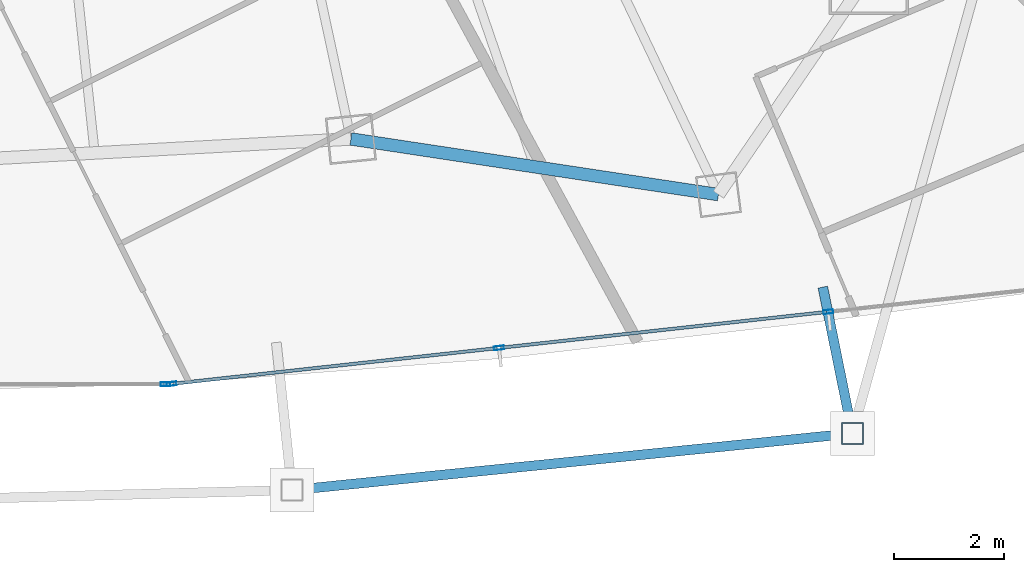
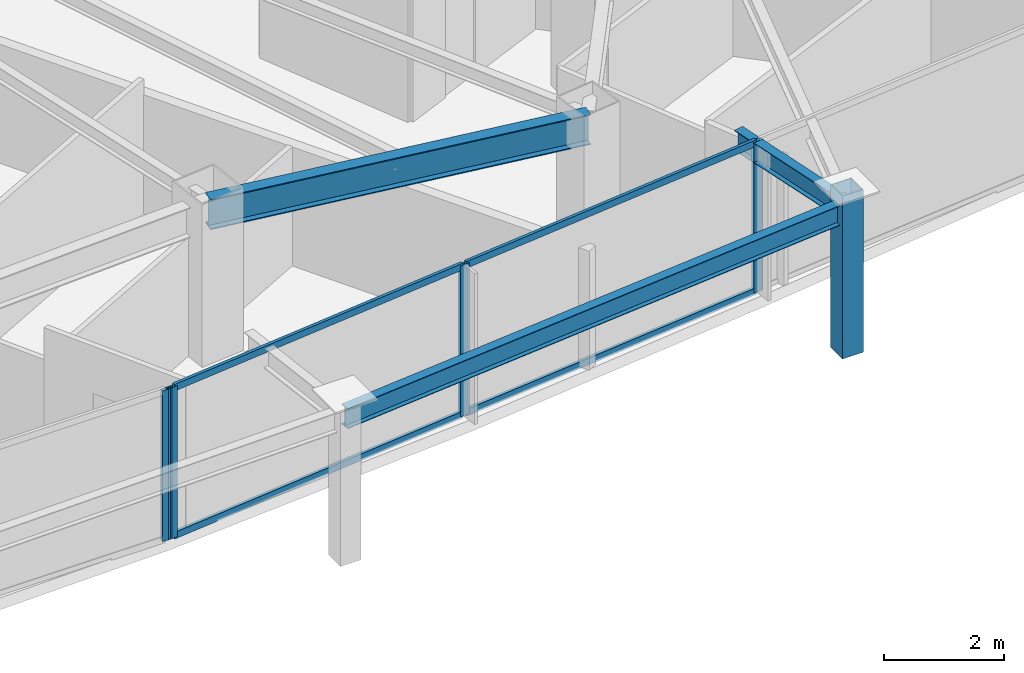
# One storey, part 11 of 31: 9 members, 3 beams, 2 elements without a shape of their own.
"""IFC4 building model written with IfcOpenShell, lengths in metres."""

from ifc_helpers import new_model, si_unit, direction, frame, origin, origin_2d, place, context, subcontext, project, spatial, hollow_rectangle, i_section, extrude, material, layer, layer_set, material_profile, profile_set, type_object, element, aggregate, save


model = new_model("IFC4")

# Units and contexts
model_context = context("Model", 3, precision=1e-05, world=origin(), true_north=direction((0.0, 1.0)))
body_context = subcontext(model_context, "Body", "Model", "MODEL_VIEW")
ifc_project = project(units=[si_unit("LENGTHUNIT", "METRE"), si_unit("AREAUNIT", "SQUARE_METRE"), si_unit("VOLUMEUNIT", "CUBIC_METRE"), si_unit("PLANEANGLEUNIT", "RADIAN"), si_unit("MASSUNIT", "GRAM", prefix="KILO")], contexts=[model_context])

# Site, building, storey
site_placement = place(None, origin())
site = spatial("IfcSite", under=ifc_project, at=site_placement, CompositionType="ELEMENT")
building_placement = place(site_placement, origin())
building = spatial("IfcBuilding", under=site, at=building_placement, Name="Orvanel Arch Residences", CompositionType="ELEMENT")
storey_placement = place(building_placement, frame((0.0, 0.0, 113.300048828125)))
storey = spatial("IfcBuildingStorey", under=building, at=storey_placement, Name="L31", CompositionType="ELEMENT", Elevation=113.300048828125)

# Curtain wall, member
ifc_material_1 = material(Name="Bronze-anodised aluminium AA6063-T6", Category="aluminium")
ifc_layer = layer(ifc_material_1, 0.179931640625)
ifc_layer_set = layer_set([ifc_layer], Name="Bronze-anodised aluminium AA6063-T6")
curtain_wall_type = type_object("IfcCurtainWallType", Name="CW3-MID-SYS", PredefinedType="NOTDEFINED", material=ifc_layer_set)
curtain_wall_1_placement = place(storey_placement, origin())
curtain_wall_1 = element("IfcCurtainWall", 1, at=curtain_wall_1_placement, inside=storey, type_object=curtain_wall_type, Name="L31 CW3-MID-SYS Unitised Curtain Wall", PredefinedType="NOTDEFINED")
ifc_material_profile_1 = material_profile(ifc_material_1, hollow_rectangle(XDim=0.070068359375, YDim=0.179931640625, WallThickness=0.00439453125, at=origin_2d()), Name="ALU180x70x4.5")
ifc_profile_set_1 = profile_set([ifc_material_profile_1], Name="Bronze-anodised aluminium AA6063-T6")
member_type_1 = type_object("IfcMemberType", Name="MUL-180x70", PredefinedType="MULLION", material=ifc_profile_set_1)
member_1_placement = place(storey_placement, frame((38.968017578125, 2.87890625, 0.0), z_axis=(0.0, 0.0, 1.0), x_axis=(0.0, 1.0, 0.0)))
member_1 = element("IfcMember", 2, at=member_1_placement, type_object=member_type_1, Name="CW-S3 mullion 3", PredefinedType="MULLION", context=body_context, shape_type="SweptSolid", body=[
    extrude(hollow_rectangle(XDim=0.070068359375, YDim=0.179931640625, WallThickness=0.00439453125, at=origin_2d()), origin(), (0.0, 0.0, 1.0), 3.06005859375),
])
aggregate(curtain_wall_1, [member_1])

# Curtain wall, members
curtain_wall_2_placement = place(storey_placement, origin())
curtain_wall_2 = element("IfcCurtainWall", 3, at=curtain_wall_2_placement, inside=storey, type_object=curtain_wall_type, Name="L31 CW3-MID-SYS Unitised Curtain Wall", PredefinedType="NOTDEFINED")
member_2_placement = place(storey_placement, frame((39.077880859375, 2.884765625, 0.0), z_axis=(0.0, 0.0, 1.0), x_axis=(-0.109154736008, 0.994024770117, 0.0)))
member_2 = element("IfcMember", 4, at=member_2_placement, type_object=member_type_1, Name="CW-S3 mullion 1", PredefinedType="MULLION", context=body_context, shape_type="SweptSolid", body=[
    extrude(hollow_rectangle(XDim=0.070068359375, YDim=0.179931640625, WallThickness=0.00439453125, at=origin_2d()), origin(), (0.0, 0.0, 1.0), 3.06005859375),
])
member_3_placement = place(storey_placement, frame((45.05322265625, 3.541015625, 0.0), z_axis=(0.0, 0.0, 1.0), x_axis=(-0.109154736008, 0.994024770117, 0.0)))
member_3 = element("IfcMember", 5, at=member_3_placement, type_object=member_type_1, Name="CW-S3 mullion 2", PredefinedType="MULLION", context=body_context, shape_type="SweptSolid", body=[
    extrude(hollow_rectangle(XDim=0.070068359375, YDim=0.179931640625, WallThickness=0.00439453125, at=origin_2d()), origin(), (0.0, 0.0, 1.0), 3.06005859375),
])
member_4_placement = place(storey_placement, frame((51.063720703125, 4.200927734375, 0.0), z_axis=(0.0, 0.0, 1.0), x_axis=(-0.109154736008, 0.994024770117, 0.0)))
member_4 = element("IfcMember", 6, at=member_4_placement, type_object=member_type_1, Name="CW-S3 mullion 3", PredefinedType="MULLION", context=body_context, shape_type="SweptSolid", body=[
    extrude(hollow_rectangle(XDim=0.070068359375, YDim=0.179931640625, WallThickness=0.00439453125, at=origin_2d()), origin(), (0.0, 0.0, 1.0), 3.06005859375),
])

# Beams
ifc_material_2 = material(Name="Structural steel AS/NZS 3679.1 Grade 300 (300 MPa)", Category="steel")
ifc_material_profile_2 = material_profile(ifc_material_2, i_section(OverallWidth=0.177978515625, OverallDepth=0.406005859375, WebThickness=0.0078125, FlangeThickness=0.0126953125, at=origin_2d()), Name="410UB59.7")
ifc_profile_set_2 = profile_set([ifc_material_profile_2], Name="Structural steel AS/NZS 3679.1 Grade 300 (300 MPa)")
beam_type_1 = type_object("IfcBeamType", Name="OB-410UB-EXT", PredefinedType="SPANDREL", material=ifc_profile_set_2)
beam_1_placement = place(storey_placement, frame((41.27392578125, 0.946044921875, 2.85693359375), z_axis=(0.994922767313, 0.100641378577, 0.0), x_axis=(-0.100641378577, 0.994922767313, 0.0)))
element("IfcBeam", 7, at=beam_1_placement, inside=storey, type_object=beam_type_1, Name="L31 Outer Perimeter Floor Ring Beam 07", PredefinedType="SPANDREL", context=body_context, shape_type="SweptSolid", body=[
    extrude(i_section(OverallWidth=0.177978515625, OverallDepth=0.406005859375, WebThickness=0.0078125, FlangeThickness=0.0126953125, at=origin_2d()), origin(), (0.0, 0.0, 1.0), 10.283203125),
])
beam_2_placement = place(storey_placement, frame((50.964111328125, 4.65087890625, 2.85693359375), z_axis=(0.198511196351, -0.980098619999, 0.0), x_axis=(0.980098619999, 0.198511196351, 0.0)))
element("IfcBeam", 8, at=beam_2_placement, inside=storey, type_object=beam_type_1, Name="L31 Outer Frame Radial Tie Beam 08", PredefinedType="SPANDREL", context=body_context, shape_type="SweptSolid", body=[
    extrude(i_section(OverallWidth=0.177978515625, OverallDepth=0.406005859375, WebThickness=0.0078125, FlangeThickness=0.0126953125, at=origin_2d()), origin(), (0.0, 0.0, 1.0), 2.72412109375),
])
ifc_material_profile_3 = material_profile(ifc_material_2, i_section(OverallWidth=0.22900390625, OverallDepth=0.612060546875, WebThickness=0.011962890625, FlangeThickness=0.01953125, at=origin_2d()), Name="610UB125")
ifc_profile_set_3 = profile_set([ifc_material_profile_3], Name="Structural steel AS/NZS 3679.1 Grade 300 (300 MPa)")
beam_type_2 = type_object("IfcBeamType", Name="SP-610UB", PredefinedType="SPANDREL", material=ifc_profile_set_3)
beam_3_placement = place(storey_placement, frame((42.35107421875, 7.35498046875, 2.75390625), z_axis=(0.988726323014, -0.149733958002, 0.0), x_axis=(0.149733958002, 0.988726323014, 0.0)))
element("IfcBeam", 9, at=beam_3_placement, inside=storey, type_object=beam_type_2, Name="L31 Perimeter Spandrel Beam 07", PredefinedType="SPANDREL", context=body_context, shape_type="SweptSolid", body=[
    extrude(i_section(OverallWidth=0.22900390625, OverallDepth=0.612060546875, WebThickness=0.011962890625, FlangeThickness=0.01953125, at=origin_2d()), origin(), (0.0, 0.0, 1.0), 6.784423828125),
])

# Member
ifc_material_3 = material(Name="Structural steel AS/NZS 1163 C450L0 (Grade 450)", Category="steel")
ifc_material_profile_4 = material_profile(ifc_material_3, hollow_rectangle(XDim=0.39990234375, YDim=0.39990234375, WallThickness=0.01611328125, at=origin_2d()), Name="SHS400x400x16")
ifc_profile_set_4 = profile_set([ifc_material_profile_4], Name="Structural steel AS/NZS 1163 C450L0 (Grade 450)")
member_type_2 = type_object("IfcMemberType", Name="ST-400SHS-EXT", PredefinedType="STRUT", material=ifc_profile_set_4)
member_5_placement = place(storey_placement, frame((51.5048828125, 1.98095703125, 0.0), z_axis=(0.0, 0.0, 1.0), x_axis=(1.0, 0.0, 0.0)))
element("IfcMember", 10, at=member_5_placement, inside=storey, type_object=member_type_2, Name="L31 Outer Perimeter Frame Post 08", PredefinedType="STRUT", context=body_context, shape_type="SweptSolid", body=[
    extrude(hollow_rectangle(XDim=0.39990234375, YDim=0.39990234375, WallThickness=0.01611328125, at=origin_2d()), origin(), (0.0, 0.0, 1.0), 3.300048828125),
])

ifc_material_profile_5 = material_profile(ifc_material_1, hollow_rectangle(XDim=0.06005859375, YDim=0.135009765625, WallThickness=0.00390625, at=origin_2d()), Name="ALU135x60x4")
ifc_profile_set_5 = profile_set([ifc_material_profile_5], Name="Bronze-anodised aluminium AA6063-T6")
member_type_3 = type_object("IfcMemberType", Name="TRN-135x60", PredefinedType="USERDEFINED", material=ifc_profile_set_5)
member_6_placement = place(storey_placement, frame((39.112548828125, 2.888671875, 0.030029296875), z_axis=(0.994026709515, 0.109137073311, 0.0), x_axis=(-0.109137073311, 0.994026709515, 0.0)))
member_6 = element("IfcMember", 11, at=member_6_placement, type_object=member_type_3, Name="CW-S3 transom 1.1", ObjectType="TRANSOM", PredefinedType="USERDEFINED", context=body_context, shape_type="SweptSolid", body=[
    extrude(hollow_rectangle(XDim=0.06005859375, YDim=0.135009765625, WallThickness=0.00390625, at=origin_2d()), origin(), (0.0, 0.0, 1.0), 5.94140625),
])

member_7_placement = place(storey_placement, frame((39.112548828125, 2.888671875, 3.030029296875), z_axis=(0.994026709515, 0.109137073311, 0.0), x_axis=(-0.109137073311, 0.994026709515, 0.0)))
member_7 = element("IfcMember", 12, at=member_7_placement, type_object=member_type_3, Name="CW-S3 transom 1.2", ObjectType="TRANSOM", PredefinedType="USERDEFINED", context=body_context, shape_type="SweptSolid", body=[
    extrude(hollow_rectangle(XDim=0.06005859375, YDim=0.135009765625, WallThickness=0.00390625, at=origin_2d()), origin(), (0.0, 0.0, 1.0), 5.94140625),
])

member_8_placement = place(storey_placement, frame((45.088134765625, 3.544921875, 0.030029296875), z_axis=(0.994024894995, 0.109153598793, 0.0), x_axis=(-0.109153598793, 0.994024894995, 0.0)))
member_8 = element("IfcMember", 13, at=member_8_placement, type_object=member_type_3, Name="CW-S3 transom 2.1", ObjectType="TRANSOM", PredefinedType="USERDEFINED", context=body_context, shape_type="SweptSolid", body=[
    extrude(hollow_rectangle(XDim=0.06005859375, YDim=0.135009765625, WallThickness=0.00390625, at=origin_2d()), origin(), (0.0, 0.0, 1.0), 5.976318359375),
])

member_9_placement = place(storey_placement, frame((45.088134765625, 3.544921875, 3.030029296875), z_axis=(0.994024894995, 0.109153598793, 0.0), x_axis=(-0.109153598793, 0.994024894995, 0.0)))
member_9 = element("IfcMember", 14, at=member_9_placement, type_object=member_type_3, Name="CW-S3 transom 2.2", ObjectType="TRANSOM", PredefinedType="USERDEFINED", context=body_context, shape_type="SweptSolid", body=[
    extrude(hollow_rectangle(XDim=0.06005859375, YDim=0.135009765625, WallThickness=0.00390625, at=origin_2d()), origin(), (0.0, 0.0, 1.0), 5.976318359375),
])

aggregate(curtain_wall_2, [member_2, member_3, member_4, member_6, member_7, member_8, member_9])

save(model, "model.ifc")
